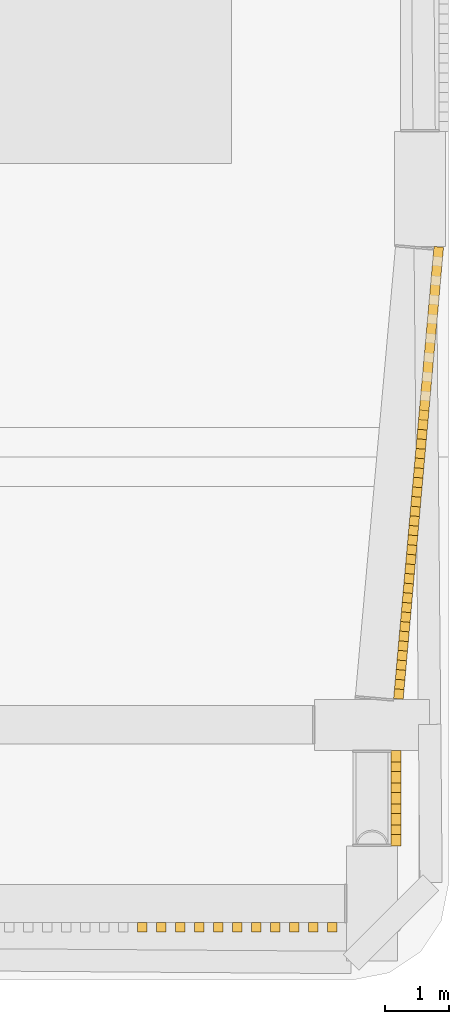
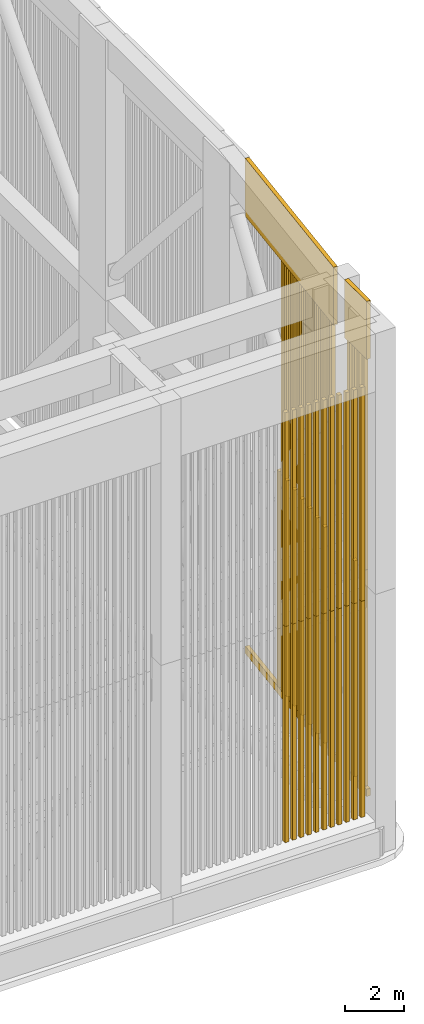
# One storey, part 17 of 27: 59 shading devices, 4 coverings.
"""IFC4 building model written with IfcOpenShell, lengths in metres."""

from ifc_helpers import new_model, si_unit, direction, frame, origin, origin_2d, place, context, subcontext, project, spatial, rectangle, extrude, material, layer, layer_set, type_object, element, save


model = new_model("IFC4")

# Units and contexts
model_context = context("Model", 3, precision=1e-05, world=origin(), true_north=direction((0.0, 1.0)))
body_context = subcontext(model_context, "Body", "Model", "MODEL_VIEW")
ifc_project = project(units=[si_unit("LENGTHUNIT", "METRE"), si_unit("AREAUNIT", "SQUARE_METRE"), si_unit("VOLUMEUNIT", "CUBIC_METRE"), si_unit("PLANEANGLEUNIT", "RADIAN"), si_unit("MASSUNIT", "GRAM", prefix="KILO")], contexts=[model_context])

# Site, building, storey
site_placement = place(None, origin())
site = spatial("IfcSite", under=ifc_project, at=site_placement, CompositionType="ELEMENT")
building_placement = place(site_placement, origin())
building = spatial("IfcBuilding", under=site, at=building_placement, Name="Claustro Exchange Tower", CompositionType="ELEMENT")
storey_placement = place(building_placement, frame((0.0, 0.0, 287.10009765625)))
storey = spatial("IfcBuildingStorey", under=building, at=storey_placement, Name="ROOF", CompositionType="ELEMENT", Elevation=287.10009765625)

# Coverings
ifc_material_1 = material(Name="Concrete HA-40 (C40/50), precast, white cement, acid-etched", Category="concrete")
ifc_layer = layer(ifc_material_1, 0.14990234375)
ifc_layer_set = layer_set([ifc_layer], Name="Concrete HA-40 (C40/50), precast, white cement, acid-etched")
covering_type = type_object("IfcCoveringType", Name="CC1 150 precast concrete crown moulding", PredefinedType="MOLDING", material=ifc_layer_set)
covering_1_placement = place(storey_placement, frame((50.775390625, 7.25, 1.10009765625), z_axis=(0.0, 0.0, 1.0), x_axis=(0.0, 1.0, 0.0)))
element("IfcCovering", 1, at=covering_1_placement, inside=storey, type_object=covering_type, Name="CROWN SILL CC1 7/A+5600 - 7/B", PredefinedType="MOLDING", context=body_context, shape_type="SweptSolid", body=[
    extrude(rectangle(XDim=1.4990234375, YDim=0.14990234375, at=origin_2d()), origin(), (0.0, 0.0, 1.0), 0.300048828125),
])
covering_2_placement = place(storey_placement, frame((50.775390625, 7.25, 19.199951171875), z_axis=(0.0, 0.0, 1.0), x_axis=(0.0, 1.0, 0.0)))
element("IfcCovering", 2, at=covering_2_placement, inside=storey, type_object=covering_type, Name="CROWN CORNICE CC1 7/A+5600 - 7/B", PredefinedType="MOLDING", context=body_context, shape_type="SweptSolid", body=[
    extrude(rectangle(XDim=1.4990234375, YDim=0.14990234375, at=origin_2d()), origin(), (0.0, 0.0, 1.0), 2.39990234375),
])
covering_3_placement = place(storey_placement, frame((51.129638671875, 12.35009765625, 1.10009765625), z_axis=(0.0, 0.0, 1.0), x_axis=(0.088932542032, 0.996037651381, 0.0)))
element("IfcCovering", 3, at=covering_3_placement, inside=storey, type_object=covering_type, Name="CROWN SILL CC1 7/B - 7+750/C", PredefinedType="MOLDING", context=body_context, shape_type="SweptSolid", body=[
    extrude(rectangle(XDim=7.114013671875, YDim=0.14990234375, at=origin_2d()), origin(), (0.0, 0.0, 1.0), 0.300048828125),
])
covering_4_placement = place(storey_placement, frame((51.129638671875, 12.35009765625, 19.199951171875), z_axis=(0.0, 0.0, 1.0), x_axis=(0.088932542032, 0.996037651381, 0.0)))
element("IfcCovering", 4, at=covering_4_placement, inside=storey, type_object=covering_type, Name="CROWN CORNICE CC1 7/B - 7+750/C", PredefinedType="MOLDING", context=body_context, shape_type="SweptSolid", body=[
    extrude(rectangle(XDim=7.114013671875, YDim=0.14990234375, at=origin_2d()), origin(), (0.0, 0.0, 1.0), 2.39990234375),
])

# Shading devices
ifc_material_2 = material(Name="Concrete HA-40 (C40/50), precast, white cement, acid-etched", Category="concrete")
shading_device_type = type_object("IfcShadingDeviceType", Name="LV1 150 x 150 precast concrete crown louvre", PredefinedType="USERDEFINED", material=ifc_material_2)
shading_device_1_placement = place(storey_placement, frame((46.796142578125, 5.224609375, 1.39990234375), z_axis=(0.0, 0.0, 1.0), x_axis=(1.0, 0.0, 0.0)))
element("IfcShadingDevice", 5, at=shading_device_1_placement, inside=storey, type_object=shading_device_type, Name="CROWN LOUVRE LV1 6/A+5600 - 7/A+5600 15 lower", ObjectType="CROWN LOUVRE", PredefinedType="USERDEFINED", context=body_context, shape_type="SweptSolid", body=[
    extrude(rectangle(XDim=0.14990234375, YDim=0.14990234375, at=origin_2d()), origin(), (0.0, 0.0, 1.0), 8.949951171875),
])
shading_device_2_placement = place(storey_placement, frame((46.796142578125, 5.224609375, 10.349853515625), z_axis=(0.0, 0.0, 1.0), x_axis=(1.0, 0.0, 0.0)))
element("IfcShadingDevice", 6, at=shading_device_2_placement, inside=storey, type_object=shading_device_type, Name="CROWN LOUVRE LV1 6/A+5600 - 7/A+5600 15 upper", ObjectType="CROWN LOUVRE", PredefinedType="USERDEFINED", context=body_context, shape_type="SweptSolid", body=[
    extrude(rectangle(XDim=0.14990234375, YDim=0.14990234375, at=origin_2d()), origin(), (0.0, 0.0, 1.0), 8.85009765625),
])
shading_device_3_placement = place(storey_placement, frame((47.093994140625, 5.224609375, 1.39990234375), z_axis=(0.0, 0.0, 1.0), x_axis=(1.0, 0.0, 0.0)))
element("IfcShadingDevice", 7, at=shading_device_3_placement, inside=storey, type_object=shading_device_type, Name="CROWN LOUVRE LV1 6/A+5600 - 7/A+5600 16 lower", ObjectType="CROWN LOUVRE", PredefinedType="USERDEFINED", context=body_context, shape_type="SweptSolid", body=[
    extrude(rectangle(XDim=0.14990234375, YDim=0.14990234375, at=origin_2d()), origin(), (0.0, 0.0, 1.0), 8.949951171875),
])
shading_device_4_placement = place(storey_placement, frame((47.093994140625, 5.224609375, 10.349853515625), z_axis=(0.0, 0.0, 1.0), x_axis=(1.0, 0.0, 0.0)))
element("IfcShadingDevice", 8, at=shading_device_4_placement, inside=storey, type_object=shading_device_type, Name="CROWN LOUVRE LV1 6/A+5600 - 7/A+5600 16 upper", ObjectType="CROWN LOUVRE", PredefinedType="USERDEFINED", context=body_context, shape_type="SweptSolid", body=[
    extrude(rectangle(XDim=0.14990234375, YDim=0.14990234375, at=origin_2d()), origin(), (0.0, 0.0, 1.0), 8.85009765625),
])
shading_device_5_placement = place(storey_placement, frame((47.39208984375, 5.224609375, 1.39990234375), z_axis=(0.0, 0.0, 1.0), x_axis=(1.0, 0.0, 0.0)))
element("IfcShadingDevice", 9, at=shading_device_5_placement, inside=storey, type_object=shading_device_type, Name="CROWN LOUVRE LV1 6/A+5600 - 7/A+5600 17 lower", ObjectType="CROWN LOUVRE", PredefinedType="USERDEFINED", context=body_context, shape_type="SweptSolid", body=[
    extrude(rectangle(XDim=0.14990234375, YDim=0.14990234375, at=origin_2d()), origin(), (0.0, 0.0, 1.0), 8.949951171875),
])
shading_device_6_placement = place(storey_placement, frame((47.39208984375, 5.224609375, 10.349853515625), z_axis=(0.0, 0.0, 1.0), x_axis=(1.0, 0.0, 0.0)))
element("IfcShadingDevice", 10, at=shading_device_6_placement, inside=storey, type_object=shading_device_type, Name="CROWN LOUVRE LV1 6/A+5600 - 7/A+5600 17 upper", ObjectType="CROWN LOUVRE", PredefinedType="USERDEFINED", context=body_context, shape_type="SweptSolid", body=[
    extrude(rectangle(XDim=0.14990234375, YDim=0.14990234375, at=origin_2d()), origin(), (0.0, 0.0, 1.0), 8.85009765625),
])
shading_device_7_placement = place(storey_placement, frame((47.690185546875, 5.224609375, 1.39990234375), z_axis=(0.0, 0.0, 1.0), x_axis=(1.0, 0.0, 0.0)))
element("IfcShadingDevice", 11, at=shading_device_7_placement, inside=storey, type_object=shading_device_type, Name="CROWN LOUVRE LV1 6/A+5600 - 7/A+5600 18 lower", ObjectType="CROWN LOUVRE", PredefinedType="USERDEFINED", context=body_context, shape_type="SweptSolid", body=[
    extrude(rectangle(XDim=0.14990234375, YDim=0.14990234375, at=origin_2d()), origin(), (0.0, 0.0, 1.0), 8.949951171875),
])
shading_device_8_placement = place(storey_placement, frame((47.690185546875, 5.224609375, 10.349853515625), z_axis=(0.0, 0.0, 1.0), x_axis=(1.0, 0.0, 0.0)))
element("IfcShadingDevice", 12, at=shading_device_8_placement, inside=storey, type_object=shading_device_type, Name="CROWN LOUVRE LV1 6/A+5600 - 7/A+5600 18 upper", ObjectType="CROWN LOUVRE", PredefinedType="USERDEFINED", context=body_context, shape_type="SweptSolid", body=[
    extrude(rectangle(XDim=0.14990234375, YDim=0.14990234375, at=origin_2d()), origin(), (0.0, 0.0, 1.0), 8.85009765625),
])
shading_device_9_placement = place(storey_placement, frame((47.98828125, 5.224609375, 1.39990234375), z_axis=(0.0, 0.0, 1.0), x_axis=(1.0, 0.0, 0.0)))
element("IfcShadingDevice", 13, at=shading_device_9_placement, inside=storey, type_object=shading_device_type, Name="CROWN LOUVRE LV1 6/A+5600 - 7/A+5600 19 lower", ObjectType="CROWN LOUVRE", PredefinedType="USERDEFINED", context=body_context, shape_type="SweptSolid", body=[
    extrude(rectangle(XDim=0.14990234375, YDim=0.14990234375, at=origin_2d()), origin(), (0.0, 0.0, 1.0), 8.949951171875),
])
shading_device_10_placement = place(storey_placement, frame((47.98828125, 5.224609375, 10.349853515625), z_axis=(0.0, 0.0, 1.0), x_axis=(1.0, 0.0, 0.0)))
element("IfcShadingDevice", 14, at=shading_device_10_placement, inside=storey, type_object=shading_device_type, Name="CROWN LOUVRE LV1 6/A+5600 - 7/A+5600 19 upper", ObjectType="CROWN LOUVRE", PredefinedType="USERDEFINED", context=body_context, shape_type="SweptSolid", body=[
    extrude(rectangle(XDim=0.14990234375, YDim=0.14990234375, at=origin_2d()), origin(), (0.0, 0.0, 1.0), 8.85009765625),
])
shading_device_11_placement = place(storey_placement, frame((48.286376953125, 5.224609375, 1.39990234375), z_axis=(0.0, 0.0, 1.0), x_axis=(1.0, 0.0, 0.0)))
element("IfcShadingDevice", 15, at=shading_device_11_placement, inside=storey, type_object=shading_device_type, Name="CROWN LOUVRE LV1 6/A+5600 - 7/A+5600 20 lower", ObjectType="CROWN LOUVRE", PredefinedType="USERDEFINED", context=body_context, shape_type="SweptSolid", body=[
    extrude(rectangle(XDim=0.14990234375, YDim=0.14990234375, at=origin_2d()), origin(), (0.0, 0.0, 1.0), 8.949951171875),
])
shading_device_12_placement = place(storey_placement, frame((48.286376953125, 5.224609375, 10.349853515625), z_axis=(0.0, 0.0, 1.0), x_axis=(1.0, 0.0, 0.0)))
element("IfcShadingDevice", 16, at=shading_device_12_placement, inside=storey, type_object=shading_device_type, Name="CROWN LOUVRE LV1 6/A+5600 - 7/A+5600 20 upper", ObjectType="CROWN LOUVRE", PredefinedType="USERDEFINED", context=body_context, shape_type="SweptSolid", body=[
    extrude(rectangle(XDim=0.14990234375, YDim=0.14990234375, at=origin_2d()), origin(), (0.0, 0.0, 1.0), 8.85009765625),
])
shading_device_13_placement = place(storey_placement, frame((48.584228515625, 5.224609375, 1.39990234375), z_axis=(0.0, 0.0, 1.0), x_axis=(1.0, 0.0, 0.0)))
element("IfcShadingDevice", 17, at=shading_device_13_placement, inside=storey, type_object=shading_device_type, Name="CROWN LOUVRE LV1 6/A+5600 - 7/A+5600 21 lower", ObjectType="CROWN LOUVRE", PredefinedType="USERDEFINED", context=body_context, shape_type="SweptSolid", body=[
    extrude(rectangle(XDim=0.14990234375, YDim=0.14990234375, at=origin_2d()), origin(), (0.0, 0.0, 1.0), 8.949951171875),
])
shading_device_14_placement = place(storey_placement, frame((48.584228515625, 5.224609375, 10.349853515625), z_axis=(0.0, 0.0, 1.0), x_axis=(1.0, 0.0, 0.0)))
element("IfcShadingDevice", 18, at=shading_device_14_placement, inside=storey, type_object=shading_device_type, Name="CROWN LOUVRE LV1 6/A+5600 - 7/A+5600 21 upper", ObjectType="CROWN LOUVRE", PredefinedType="USERDEFINED", context=body_context, shape_type="SweptSolid", body=[
    extrude(rectangle(XDim=0.14990234375, YDim=0.14990234375, at=origin_2d()), origin(), (0.0, 0.0, 1.0), 8.85009765625),
])
shading_device_15_placement = place(storey_placement, frame((48.88232421875, 5.224609375, 1.39990234375), z_axis=(0.0, 0.0, 1.0), x_axis=(1.0, 0.0, 0.0)))
element("IfcShadingDevice", 19, at=shading_device_15_placement, inside=storey, type_object=shading_device_type, Name="CROWN LOUVRE LV1 6/A+5600 - 7/A+5600 22 lower", ObjectType="CROWN LOUVRE", PredefinedType="USERDEFINED", context=body_context, shape_type="SweptSolid", body=[
    extrude(rectangle(XDim=0.14990234375, YDim=0.14990234375, at=origin_2d()), origin(), (0.0, 0.0, 1.0), 8.949951171875),
])
shading_device_16_placement = place(storey_placement, frame((48.88232421875, 5.224609375, 10.349853515625), z_axis=(0.0, 0.0, 1.0), x_axis=(1.0, 0.0, 0.0)))
element("IfcShadingDevice", 20, at=shading_device_16_placement, inside=storey, type_object=shading_device_type, Name="CROWN LOUVRE LV1 6/A+5600 - 7/A+5600 22 upper", ObjectType="CROWN LOUVRE", PredefinedType="USERDEFINED", context=body_context, shape_type="SweptSolid", body=[
    extrude(rectangle(XDim=0.14990234375, YDim=0.14990234375, at=origin_2d()), origin(), (0.0, 0.0, 1.0), 8.85009765625),
])
shading_device_17_placement = place(storey_placement, frame((49.180419921875, 5.224609375, 1.39990234375), z_axis=(0.0, 0.0, 1.0), x_axis=(1.0, 0.0, 0.0)))
element("IfcShadingDevice", 21, at=shading_device_17_placement, inside=storey, type_object=shading_device_type, Name="CROWN LOUVRE LV1 6/A+5600 - 7/A+5600 23 lower", ObjectType="CROWN LOUVRE", PredefinedType="USERDEFINED", context=body_context, shape_type="SweptSolid", body=[
    extrude(rectangle(XDim=0.14990234375, YDim=0.14990234375, at=origin_2d()), origin(), (0.0, 0.0, 1.0), 8.949951171875),
])
shading_device_18_placement = place(storey_placement, frame((49.180419921875, 5.224609375, 10.349853515625), z_axis=(0.0, 0.0, 1.0), x_axis=(1.0, 0.0, 0.0)))
element("IfcShadingDevice", 22, at=shading_device_18_placement, inside=storey, type_object=shading_device_type, Name="CROWN LOUVRE LV1 6/A+5600 - 7/A+5600 23 upper", ObjectType="CROWN LOUVRE", PredefinedType="USERDEFINED", context=body_context, shape_type="SweptSolid", body=[
    extrude(rectangle(XDim=0.14990234375, YDim=0.14990234375, at=origin_2d()), origin(), (0.0, 0.0, 1.0), 8.85009765625),
])
shading_device_19_placement = place(storey_placement, frame((49.478515625, 5.224609375, 1.39990234375), z_axis=(0.0, 0.0, 1.0), x_axis=(1.0, 0.0, 0.0)))
element("IfcShadingDevice", 23, at=shading_device_19_placement, inside=storey, type_object=shading_device_type, Name="CROWN LOUVRE LV1 6/A+5600 - 7/A+5600 24 lower", ObjectType="CROWN LOUVRE", PredefinedType="USERDEFINED", context=body_context, shape_type="SweptSolid", body=[
    extrude(rectangle(XDim=0.14990234375, YDim=0.14990234375, at=origin_2d()), origin(), (0.0, 0.0, 1.0), 8.949951171875),
])
shading_device_20_placement = place(storey_placement, frame((49.478515625, 5.224609375, 10.349853515625), z_axis=(0.0, 0.0, 1.0), x_axis=(1.0, 0.0, 0.0)))
element("IfcShadingDevice", 24, at=shading_device_20_placement, inside=storey, type_object=shading_device_type, Name="CROWN LOUVRE LV1 6/A+5600 - 7/A+5600 24 upper", ObjectType="CROWN LOUVRE", PredefinedType="USERDEFINED", context=body_context, shape_type="SweptSolid", body=[
    extrude(rectangle(XDim=0.14990234375, YDim=0.14990234375, at=origin_2d()), origin(), (0.0, 0.0, 1.0), 8.85009765625),
])
shading_device_21_placement = place(storey_placement, frame((49.776611328125, 5.224609375, 1.39990234375), z_axis=(0.0, 0.0, 1.0), x_axis=(1.0, 0.0, 0.0)))
element("IfcShadingDevice", 25, at=shading_device_21_placement, inside=storey, type_object=shading_device_type, Name="CROWN LOUVRE LV1 6/A+5600 - 7/A+5600 25 lower", ObjectType="CROWN LOUVRE", PredefinedType="USERDEFINED", context=body_context, shape_type="SweptSolid", body=[
    extrude(rectangle(XDim=0.14990234375, YDim=0.14990234375, at=origin_2d()), origin(), (0.0, 0.0, 1.0), 8.949951171875),
])
shading_device_22_placement = place(storey_placement, frame((49.776611328125, 5.224609375, 10.349853515625), z_axis=(0.0, 0.0, 1.0), x_axis=(1.0, 0.0, 0.0)))
element("IfcShadingDevice", 26, at=shading_device_22_placement, inside=storey, type_object=shading_device_type, Name="CROWN LOUVRE LV1 6/A+5600 - 7/A+5600 25 upper", ObjectType="CROWN LOUVRE", PredefinedType="USERDEFINED", context=body_context, shape_type="SweptSolid", body=[
    extrude(rectangle(XDim=0.14990234375, YDim=0.14990234375, at=origin_2d()), origin(), (0.0, 0.0, 1.0), 8.85009765625),
])
shading_device_23_placement = place(storey_placement, frame((50.775390625, 6.75537109375, 1.39990234375), z_axis=(0.0, 0.0, 1.0), x_axis=(0.0, 1.0, 0.0)))
element("IfcShadingDevice", 27, at=shading_device_23_placement, inside=storey, type_object=shading_device_type, Name="CROWN LOUVRE LV1 7/A+5600 - 7/B 01 lower", ObjectType="CROWN LOUVRE", PredefinedType="USERDEFINED", context=body_context, shape_type="SweptSolid", body=[
    extrude(rectangle(XDim=0.14990234375, YDim=0.14990234375, at=origin_2d()), origin(), (0.0, 0.0, 1.0), 8.949951171875),
])
shading_device_24_placement = place(storey_placement, frame((50.775390625, 6.75537109375, 10.349853515625), z_axis=(0.0, 0.0, 1.0), x_axis=(0.0, 1.0, 0.0)))
element("IfcShadingDevice", 28, at=shading_device_24_placement, inside=storey, type_object=shading_device_type, Name="CROWN LOUVRE LV1 7/A+5600 - 7/B 01 upper", ObjectType="CROWN LOUVRE", PredefinedType="USERDEFINED", context=body_context, shape_type="SweptSolid", body=[
    extrude(rectangle(XDim=0.14990234375, YDim=0.14990234375, at=origin_2d()), origin(), (0.0, 0.0, 1.0), 8.85009765625),
])
shading_device_25_placement = place(storey_placement, frame((50.775390625, 7.085205078125, 1.39990234375), z_axis=(0.0, 0.0, 1.0), x_axis=(0.0, 1.0, 0.0)))
element("IfcShadingDevice", 29, at=shading_device_25_placement, inside=storey, type_object=shading_device_type, Name="CROWN LOUVRE LV1 7/A+5600 - 7/B 02 lower", ObjectType="CROWN LOUVRE", PredefinedType="USERDEFINED", context=body_context, shape_type="SweptSolid", body=[
    extrude(rectangle(XDim=0.14990234375, YDim=0.14990234375, at=origin_2d()), origin(), (0.0, 0.0, 1.0), 8.949951171875),
])
shading_device_26_placement = place(storey_placement, frame((50.775390625, 7.085205078125, 10.349853515625), z_axis=(0.0, 0.0, 1.0), x_axis=(0.0, 1.0, 0.0)))
element("IfcShadingDevice", 30, at=shading_device_26_placement, inside=storey, type_object=shading_device_type, Name="CROWN LOUVRE LV1 7/A+5600 - 7/B 02 upper", ObjectType="CROWN LOUVRE", PredefinedType="USERDEFINED", context=body_context, shape_type="SweptSolid", body=[
    extrude(rectangle(XDim=0.14990234375, YDim=0.14990234375, at=origin_2d()), origin(), (0.0, 0.0, 1.0), 8.85009765625),
])
shading_device_27_placement = place(storey_placement, frame((50.775390625, 7.414794921875, 1.39990234375), z_axis=(0.0, 0.0, 1.0), x_axis=(0.0, 1.0, 0.0)))
element("IfcShadingDevice", 31, at=shading_device_27_placement, inside=storey, type_object=shading_device_type, Name="CROWN LOUVRE LV1 7/A+5600 - 7/B 03 lower", ObjectType="CROWN LOUVRE", PredefinedType="USERDEFINED", context=body_context, shape_type="SweptSolid", body=[
    extrude(rectangle(XDim=0.14990234375, YDim=0.14990234375, at=origin_2d()), origin(), (0.0, 0.0, 1.0), 8.949951171875),
])
shading_device_28_placement = place(storey_placement, frame((50.775390625, 7.414794921875, 10.349853515625), z_axis=(0.0, 0.0, 1.0), x_axis=(0.0, 1.0, 0.0)))
element("IfcShadingDevice", 32, at=shading_device_28_placement, inside=storey, type_object=shading_device_type, Name="CROWN LOUVRE LV1 7/A+5600 - 7/B 03 upper", ObjectType="CROWN LOUVRE", PredefinedType="USERDEFINED", context=body_context, shape_type="SweptSolid", body=[
    extrude(rectangle(XDim=0.14990234375, YDim=0.14990234375, at=origin_2d()), origin(), (0.0, 0.0, 1.0), 8.85009765625),
])
shading_device_29_placement = place(storey_placement, frame((50.775390625, 7.74462890625, 1.39990234375), z_axis=(0.0, 0.0, 1.0), x_axis=(0.0, 1.0, 0.0)))
element("IfcShadingDevice", 33, at=shading_device_29_placement, inside=storey, type_object=shading_device_type, Name="CROWN LOUVRE LV1 7/A+5600 - 7/B 04 lower", ObjectType="CROWN LOUVRE", PredefinedType="USERDEFINED", context=body_context, shape_type="SweptSolid", body=[
    extrude(rectangle(XDim=0.14990234375, YDim=0.14990234375, at=origin_2d()), origin(), (0.0, 0.0, 1.0), 8.949951171875),
])
shading_device_30_placement = place(storey_placement, frame((50.775390625, 7.74462890625, 10.349853515625), z_axis=(0.0, 0.0, 1.0), x_axis=(0.0, 1.0, 0.0)))
element("IfcShadingDevice", 34, at=shading_device_30_placement, inside=storey, type_object=shading_device_type, Name="CROWN LOUVRE LV1 7/A+5600 - 7/B 04 upper", ObjectType="CROWN LOUVRE", PredefinedType="USERDEFINED", context=body_context, shape_type="SweptSolid", body=[
    extrude(rectangle(XDim=0.14990234375, YDim=0.14990234375, at=origin_2d()), origin(), (0.0, 0.0, 1.0), 8.85009765625),
])
shading_device_31_placement = place(storey_placement, frame((50.83349609375, 9.033935546875, 1.39990234375), z_axis=(0.0, 0.0, 1.0), x_axis=(0.088932542032, 0.996037651381, 0.0)))
element("IfcShadingDevice", 35, at=shading_device_31_placement, inside=storey, type_object=shading_device_type, Name="CROWN LOUVRE LV1 7/B - 7+750/C 01 lower", ObjectType="CROWN LOUVRE", PredefinedType="USERDEFINED", context=body_context, shape_type="SweptSolid", body=[
    extrude(rectangle(XDim=0.14990234375, YDim=0.14990234375, at=origin_2d()), origin(), (0.0, 0.0, 1.0), 8.949951171875),
])
shading_device_32_placement = place(storey_placement, frame((50.83349609375, 9.033935546875, 10.349853515625), z_axis=(0.0, 0.0, 1.0), x_axis=(0.088932542032, 0.996037651381, 0.0)))
element("IfcShadingDevice", 36, at=shading_device_32_placement, inside=storey, type_object=shading_device_type, Name="CROWN LOUVRE LV1 7/B - 7+750/C 01 upper", ObjectType="CROWN LOUVRE", PredefinedType="USERDEFINED", context=body_context, shape_type="SweptSolid", body=[
    extrude(rectangle(XDim=0.14990234375, YDim=0.14990234375, at=origin_2d()), origin(), (0.0, 0.0, 1.0), 8.85009765625),
])
shading_device_33_placement = place(storey_placement, frame((50.860595703125, 9.33544921875, 1.39990234375), z_axis=(0.0, 0.0, 1.0), x_axis=(0.088932542032, 0.996037651381, 0.0)))
element("IfcShadingDevice", 37, at=shading_device_33_placement, inside=storey, type_object=shading_device_type, Name="CROWN LOUVRE LV1 7/B - 7+750/C 02 lower", ObjectType="CROWN LOUVRE", PredefinedType="USERDEFINED", context=body_context, shape_type="SweptSolid", body=[
    extrude(rectangle(XDim=0.14990234375, YDim=0.14990234375, at=origin_2d()), origin(), (0.0, 0.0, 1.0), 8.949951171875),
])
shading_device_34_placement = place(storey_placement, frame((50.860595703125, 9.33544921875, 10.349853515625), z_axis=(0.0, 0.0, 1.0), x_axis=(0.088932542032, 0.996037651381, 0.0)))
element("IfcShadingDevice", 38, at=shading_device_34_placement, inside=storey, type_object=shading_device_type, Name="CROWN LOUVRE LV1 7/B - 7+750/C 02 upper", ObjectType="CROWN LOUVRE", PredefinedType="USERDEFINED", context=body_context, shape_type="SweptSolid", body=[
    extrude(rectangle(XDim=0.14990234375, YDim=0.14990234375, at=origin_2d()), origin(), (0.0, 0.0, 1.0), 8.85009765625),
])
shading_device_35_placement = place(storey_placement, frame((50.887451171875, 9.63671875, 1.39990234375), z_axis=(0.0, 0.0, 1.0), x_axis=(0.088932542032, 0.996037651381, 0.0)))
element("IfcShadingDevice", 39, at=shading_device_35_placement, inside=storey, type_object=shading_device_type, Name="CROWN LOUVRE LV1 7/B - 7+750/C 03 lower", ObjectType="CROWN LOUVRE", PredefinedType="USERDEFINED", context=body_context, shape_type="SweptSolid", body=[
    extrude(rectangle(XDim=0.14990234375, YDim=0.14990234375, at=origin_2d()), origin(), (0.0, 0.0, 1.0), 8.949951171875),
])
shading_device_36_placement = place(storey_placement, frame((50.887451171875, 9.63671875, 10.349853515625), z_axis=(0.0, 0.0, 1.0), x_axis=(0.088932542032, 0.996037651381, 0.0)))
element("IfcShadingDevice", 40, at=shading_device_36_placement, inside=storey, type_object=shading_device_type, Name="CROWN LOUVRE LV1 7/B - 7+750/C 03 upper", ObjectType="CROWN LOUVRE", PredefinedType="USERDEFINED", context=body_context, shape_type="SweptSolid", body=[
    extrude(rectangle(XDim=0.14990234375, YDim=0.14990234375, at=origin_2d()), origin(), (0.0, 0.0, 1.0), 8.85009765625),
])
shading_device_37_placement = place(storey_placement, frame((50.914306640625, 9.938232421875, 1.39990234375), z_axis=(0.0, 0.0, 1.0), x_axis=(0.088932542032, 0.996037651381, 0.0)))
element("IfcShadingDevice", 41, at=shading_device_37_placement, inside=storey, type_object=shading_device_type, Name="CROWN LOUVRE LV1 7/B - 7+750/C 04 lower", ObjectType="CROWN LOUVRE", PredefinedType="USERDEFINED", context=body_context, shape_type="SweptSolid", body=[
    extrude(rectangle(XDim=0.14990234375, YDim=0.14990234375, at=origin_2d()), origin(), (0.0, 0.0, 1.0), 8.949951171875),
])
shading_device_38_placement = place(storey_placement, frame((50.914306640625, 9.938232421875, 10.349853515625), z_axis=(0.0, 0.0, 1.0), x_axis=(0.088932542032, 0.996037651381, 0.0)))
element("IfcShadingDevice", 42, at=shading_device_38_placement, inside=storey, type_object=shading_device_type, Name="CROWN LOUVRE LV1 7/B - 7+750/C 04 upper", ObjectType="CROWN LOUVRE", PredefinedType="USERDEFINED", context=body_context, shape_type="SweptSolid", body=[
    extrude(rectangle(XDim=0.14990234375, YDim=0.14990234375, at=origin_2d()), origin(), (0.0, 0.0, 1.0), 8.85009765625),
])
shading_device_39_placement = place(storey_placement, frame((50.94140625, 10.23974609375, 1.39990234375), z_axis=(0.0, 0.0, 1.0), x_axis=(0.088932542032, 0.996037651381, 0.0)))
element("IfcShadingDevice", 43, at=shading_device_39_placement, inside=storey, type_object=shading_device_type, Name="CROWN LOUVRE LV1 7/B - 7+750/C 05 lower", ObjectType="CROWN LOUVRE", PredefinedType="USERDEFINED", context=body_context, shape_type="SweptSolid", body=[
    extrude(rectangle(XDim=0.14990234375, YDim=0.14990234375, at=origin_2d()), origin(), (0.0, 0.0, 1.0), 8.949951171875),
])
shading_device_40_placement = place(storey_placement, frame((50.94140625, 10.23974609375, 10.349853515625), z_axis=(0.0, 0.0, 1.0), x_axis=(0.088932542032, 0.996037651381, 0.0)))
element("IfcShadingDevice", 44, at=shading_device_40_placement, inside=storey, type_object=shading_device_type, Name="CROWN LOUVRE LV1 7/B - 7+750/C 05 upper", ObjectType="CROWN LOUVRE", PredefinedType="USERDEFINED", context=body_context, shape_type="SweptSolid", body=[
    extrude(rectangle(XDim=0.14990234375, YDim=0.14990234375, at=origin_2d()), origin(), (0.0, 0.0, 1.0), 8.85009765625),
])
shading_device_41_placement = place(storey_placement, frame((50.96826171875, 10.541259765625, 1.39990234375), z_axis=(0.0, 0.0, 1.0), x_axis=(0.088932542032, 0.996037651381, 0.0)))
element("IfcShadingDevice", 45, at=shading_device_41_placement, inside=storey, type_object=shading_device_type, Name="CROWN LOUVRE LV1 7/B - 7+750/C 06 lower", ObjectType="CROWN LOUVRE", PredefinedType="USERDEFINED", context=body_context, shape_type="SweptSolid", body=[
    extrude(rectangle(XDim=0.14990234375, YDim=0.14990234375, at=origin_2d()), origin(), (0.0, 0.0, 1.0), 8.949951171875),
])
shading_device_42_placement = place(storey_placement, frame((50.96826171875, 10.541259765625, 10.349853515625), z_axis=(0.0, 0.0, 1.0), x_axis=(0.088932542032, 0.996037651381, 0.0)))
element("IfcShadingDevice", 46, at=shading_device_42_placement, inside=storey, type_object=shading_device_type, Name="CROWN LOUVRE LV1 7/B - 7+750/C 06 upper", ObjectType="CROWN LOUVRE", PredefinedType="USERDEFINED", context=body_context, shape_type="SweptSolid", body=[
    extrude(rectangle(XDim=0.14990234375, YDim=0.14990234375, at=origin_2d()), origin(), (0.0, 0.0, 1.0), 8.85009765625),
])
shading_device_43_placement = place(storey_placement, frame((50.9951171875, 10.8427734375, 1.39990234375), z_axis=(0.0, 0.0, 1.0), x_axis=(0.088932542032, 0.996037651381, 0.0)))
element("IfcShadingDevice", 47, at=shading_device_43_placement, inside=storey, type_object=shading_device_type, Name="CROWN LOUVRE LV1 7/B - 7+750/C 07 lower", ObjectType="CROWN LOUVRE", PredefinedType="USERDEFINED", context=body_context, shape_type="SweptSolid", body=[
    extrude(rectangle(XDim=0.14990234375, YDim=0.14990234375, at=origin_2d()), origin(), (0.0, 0.0, 1.0), 8.949951171875),
])
shading_device_44_placement = place(storey_placement, frame((50.9951171875, 10.8427734375, 10.349853515625), z_axis=(0.0, 0.0, 1.0), x_axis=(0.088932542032, 0.996037651381, 0.0)))
element("IfcShadingDevice", 48, at=shading_device_44_placement, inside=storey, type_object=shading_device_type, Name="CROWN LOUVRE LV1 7/B - 7+750/C 07 upper", ObjectType="CROWN LOUVRE", PredefinedType="USERDEFINED", context=body_context, shape_type="SweptSolid", body=[
    extrude(rectangle(XDim=0.14990234375, YDim=0.14990234375, at=origin_2d()), origin(), (0.0, 0.0, 1.0), 8.85009765625),
])
shading_device_45_placement = place(storey_placement, frame((51.02197265625, 11.144287109375, 1.39990234375), z_axis=(0.0, 0.0, 1.0), x_axis=(0.088932542032, 0.996037651381, 0.0)))
element("IfcShadingDevice", 49, at=shading_device_45_placement, inside=storey, type_object=shading_device_type, Name="CROWN LOUVRE LV1 7/B - 7+750/C 08 lower", ObjectType="CROWN LOUVRE", PredefinedType="USERDEFINED", context=body_context, shape_type="SweptSolid", body=[
    extrude(rectangle(XDim=0.14990234375, YDim=0.14990234375, at=origin_2d()), origin(), (0.0, 0.0, 1.0), 8.949951171875),
])
shading_device_46_placement = place(storey_placement, frame((51.02197265625, 11.144287109375, 10.349853515625), z_axis=(0.0, 0.0, 1.0), x_axis=(0.088932542032, 0.996037651381, 0.0)))
element("IfcShadingDevice", 50, at=shading_device_46_placement, inside=storey, type_object=shading_device_type, Name="CROWN LOUVRE LV1 7/B - 7+750/C 08 upper", ObjectType="CROWN LOUVRE", PredefinedType="USERDEFINED", context=body_context, shape_type="SweptSolid", body=[
    extrude(rectangle(XDim=0.14990234375, YDim=0.14990234375, at=origin_2d()), origin(), (0.0, 0.0, 1.0), 8.85009765625),
])
shading_device_47_placement = place(storey_placement, frame((51.048828125, 11.445556640625, 1.39990234375), z_axis=(0.0, 0.0, 1.0), x_axis=(0.088932542032, 0.996037651381, 0.0)))
element("IfcShadingDevice", 51, at=shading_device_47_placement, inside=storey, type_object=shading_device_type, Name="CROWN LOUVRE LV1 7/B - 7+750/C 09 lower", ObjectType="CROWN LOUVRE", PredefinedType="USERDEFINED", context=body_context, shape_type="SweptSolid", body=[
    extrude(rectangle(XDim=0.14990234375, YDim=0.14990234375, at=origin_2d()), origin(), (0.0, 0.0, 1.0), 8.949951171875),
])
shading_device_48_placement = place(storey_placement, frame((51.048828125, 11.445556640625, 10.349853515625), z_axis=(0.0, 0.0, 1.0), x_axis=(0.088932542032, 0.996037651381, 0.0)))
element("IfcShadingDevice", 52, at=shading_device_48_placement, inside=storey, type_object=shading_device_type, Name="CROWN LOUVRE LV1 7/B - 7+750/C 09 upper", ObjectType="CROWN LOUVRE", PredefinedType="USERDEFINED", context=body_context, shape_type="SweptSolid", body=[
    extrude(rectangle(XDim=0.14990234375, YDim=0.14990234375, at=origin_2d()), origin(), (0.0, 0.0, 1.0), 8.85009765625),
])
shading_device_49_placement = place(storey_placement, frame((51.07568359375, 11.7470703125, 1.39990234375), z_axis=(0.0, 0.0, 1.0), x_axis=(0.088932542032, 0.996037651381, 0.0)))
element("IfcShadingDevice", 53, at=shading_device_49_placement, inside=storey, type_object=shading_device_type, Name="CROWN LOUVRE LV1 7/B - 7+750/C 10 lower", ObjectType="CROWN LOUVRE", PredefinedType="USERDEFINED", context=body_context, shape_type="SweptSolid", body=[
    extrude(rectangle(XDim=0.14990234375, YDim=0.14990234375, at=origin_2d()), origin(), (0.0, 0.0, 1.0), 8.949951171875),
])
shading_device_50_placement = place(storey_placement, frame((51.07568359375, 11.7470703125, 10.349853515625), z_axis=(0.0, 0.0, 1.0), x_axis=(0.088932542032, 0.996037651381, 0.0)))
element("IfcShadingDevice", 54, at=shading_device_50_placement, inside=storey, type_object=shading_device_type, Name="CROWN LOUVRE LV1 7/B - 7+750/C 10 upper", ObjectType="CROWN LOUVRE", PredefinedType="USERDEFINED", context=body_context, shape_type="SweptSolid", body=[
    extrude(rectangle(XDim=0.14990234375, YDim=0.14990234375, at=origin_2d()), origin(), (0.0, 0.0, 1.0), 8.85009765625),
])
shading_device_51_placement = place(storey_placement, frame((51.102783203125, 12.048583984375, 1.39990234375), z_axis=(0.0, 0.0, 1.0), x_axis=(0.088932542032, 0.996037651381, 0.0)))
element("IfcShadingDevice", 55, at=shading_device_51_placement, inside=storey, type_object=shading_device_type, Name="CROWN LOUVRE LV1 7/B - 7+750/C 11 lower", ObjectType="CROWN LOUVRE", PredefinedType="USERDEFINED", context=body_context, shape_type="SweptSolid", body=[
    extrude(rectangle(XDim=0.14990234375, YDim=0.14990234375, at=origin_2d()), origin(), (0.0, 0.0, 1.0), 8.949951171875),
])
shading_device_52_placement = place(storey_placement, frame((51.102783203125, 12.048583984375, 10.349853515625), z_axis=(0.0, 0.0, 1.0), x_axis=(0.088932542032, 0.996037651381, 0.0)))
element("IfcShadingDevice", 56, at=shading_device_52_placement, inside=storey, type_object=shading_device_type, Name="CROWN LOUVRE LV1 7/B - 7+750/C 11 upper", ObjectType="CROWN LOUVRE", PredefinedType="USERDEFINED", context=body_context, shape_type="SweptSolid", body=[
    extrude(rectangle(XDim=0.14990234375, YDim=0.14990234375, at=origin_2d()), origin(), (0.0, 0.0, 1.0), 8.85009765625),
])
shading_device_53_placement = place(storey_placement, frame((51.129638671875, 12.35009765625, 1.39990234375), z_axis=(0.0, 0.0, 1.0), x_axis=(0.088932542032, 0.996037651381, 0.0)))
element("IfcShadingDevice", 57, at=shading_device_53_placement, inside=storey, type_object=shading_device_type, Name="CROWN LOUVRE LV1 7/B - 7+750/C 12 lower", ObjectType="CROWN LOUVRE", PredefinedType="USERDEFINED", context=body_context, shape_type="SweptSolid", body=[
    extrude(rectangle(XDim=0.14990234375, YDim=0.14990234375, at=origin_2d()), origin(), (0.0, 0.0, 1.0), 8.949951171875),
])
shading_device_54_placement = place(storey_placement, frame((51.129638671875, 12.35009765625, 10.349853515625), z_axis=(0.0, 0.0, 1.0), x_axis=(0.088932542032, 0.996037651381, 0.0)))
element("IfcShadingDevice", 58, at=shading_device_54_placement, inside=storey, type_object=shading_device_type, Name="CROWN LOUVRE LV1 7/B - 7+750/C 12 upper", ObjectType="CROWN LOUVRE", PredefinedType="USERDEFINED", context=body_context, shape_type="SweptSolid", body=[
    extrude(rectangle(XDim=0.14990234375, YDim=0.14990234375, at=origin_2d()), origin(), (0.0, 0.0, 1.0), 8.85009765625),
])
shading_device_55_placement = place(storey_placement, frame((51.156494140625, 12.651611328125, 1.39990234375), z_axis=(0.0, 0.0, 1.0), x_axis=(0.088932542032, 0.996037651381, 0.0)))
element("IfcShadingDevice", 59, at=shading_device_55_placement, inside=storey, type_object=shading_device_type, Name="CROWN LOUVRE LV1 7/B - 7+750/C 13 lower", ObjectType="CROWN LOUVRE", PredefinedType="USERDEFINED", context=body_context, shape_type="SweptSolid", body=[
    extrude(rectangle(XDim=0.14990234375, YDim=0.14990234375, at=origin_2d()), origin(), (0.0, 0.0, 1.0), 8.949951171875),
])
shading_device_56_placement = place(storey_placement, frame((51.156494140625, 12.651611328125, 10.349853515625), z_axis=(0.0, 0.0, 1.0), x_axis=(0.088932542032, 0.996037651381, 0.0)))
element("IfcShadingDevice", 60, at=shading_device_56_placement, inside=storey, type_object=shading_device_type, Name="CROWN LOUVRE LV1 7/B - 7+750/C 13 upper", ObjectType="CROWN LOUVRE", PredefinedType="USERDEFINED", context=body_context, shape_type="SweptSolid", body=[
    extrude(rectangle(XDim=0.14990234375, YDim=0.14990234375, at=origin_2d()), origin(), (0.0, 0.0, 1.0), 8.85009765625),
])
shading_device_57_placement = place(storey_placement, frame((51.18359375, 12.952880859375, 1.39990234375), z_axis=(0.0, 0.0, 1.0), x_axis=(0.088932542032, 0.996037651381, 0.0)))
element("IfcShadingDevice", 61, at=shading_device_57_placement, inside=storey, type_object=shading_device_type, Name="CROWN LOUVRE LV1 7/B - 7+750/C 14 lower", ObjectType="CROWN LOUVRE", PredefinedType="USERDEFINED", context=body_context, shape_type="SweptSolid", body=[
    extrude(rectangle(XDim=0.14990234375, YDim=0.14990234375, at=origin_2d()), origin(), (0.0, 0.0, 1.0), 8.949951171875),
])
shading_device_58_placement = place(storey_placement, frame((51.18359375, 12.952880859375, 10.349853515625), z_axis=(0.0, 0.0, 1.0), x_axis=(0.088932542032, 0.996037651381, 0.0)))
element("IfcShadingDevice", 62, at=shading_device_58_placement, inside=storey, type_object=shading_device_type, Name="CROWN LOUVRE LV1 7/B - 7+750/C 14 upper", ObjectType="CROWN LOUVRE", PredefinedType="USERDEFINED", context=body_context, shape_type="SweptSolid", body=[
    extrude(rectangle(XDim=0.14990234375, YDim=0.14990234375, at=origin_2d()), origin(), (0.0, 0.0, 1.0), 8.85009765625),
])
shading_device_59_placement = place(storey_placement, frame((51.21044921875, 13.25439453125, 1.39990234375), z_axis=(0.0, 0.0, 1.0), x_axis=(0.088932542032, 0.996037651381, 0.0)))
element("IfcShadingDevice", 63, at=shading_device_59_placement, inside=storey, type_object=shading_device_type, Name="CROWN LOUVRE LV1 7/B - 7+750/C 15 lower", ObjectType="CROWN LOUVRE", PredefinedType="USERDEFINED", context=body_context, shape_type="SweptSolid", body=[
    extrude(rectangle(XDim=0.14990234375, YDim=0.14990234375, at=origin_2d()), origin(), (0.0, 0.0, 1.0), 8.949951171875),
])

save(model, "model.ifc")
